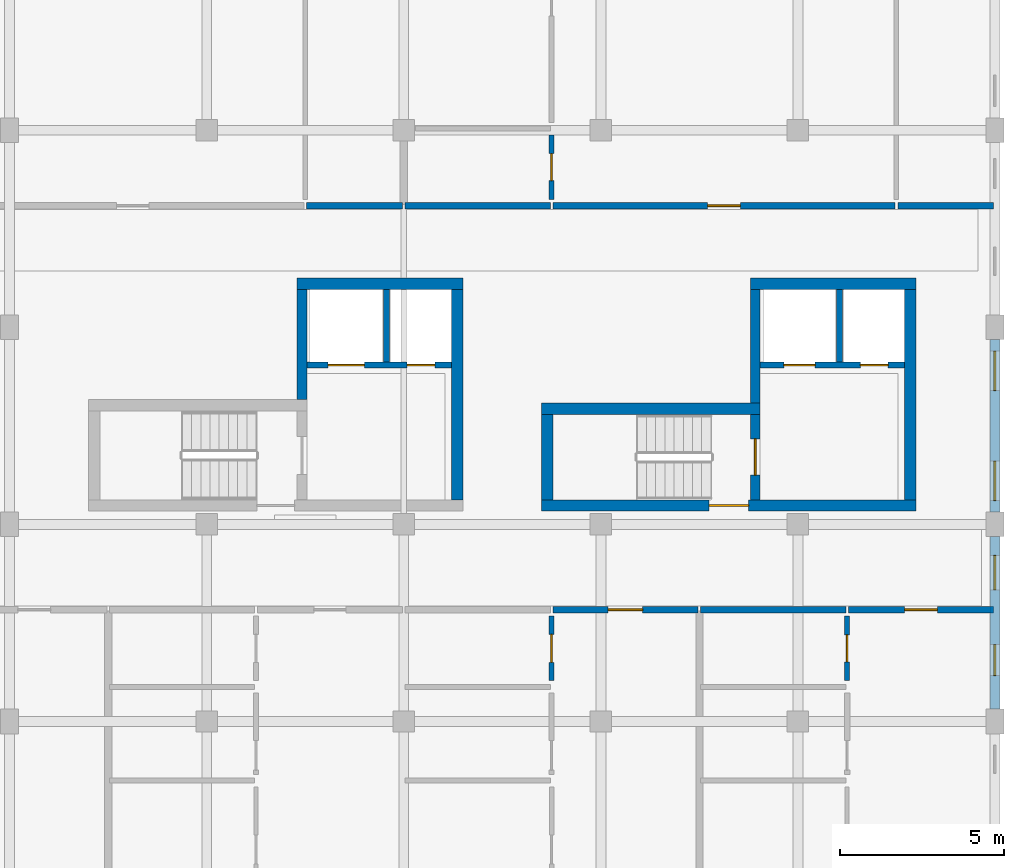
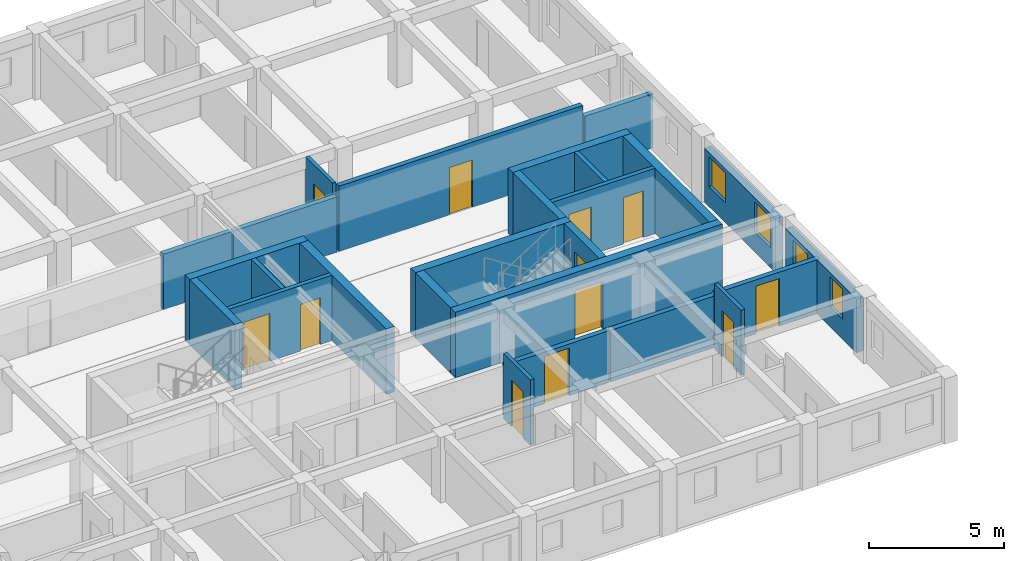
# One storey, part 99 of 123: 26 walls, 12 doors, 4 windows, 16 openings.
"""IFC4 building model written with IfcOpenShell, lengths in metres."""

from ifc_helpers import new_model, si_unit, direction, frame, frame_2d, origin, place, context, subcontext, project, spatial, rectangle, extrude, material, layer, layer_set, type_object, element, fill, save


model = new_model("IFC4")

# Units and contexts
model_context = context("Model", 3, precision=1e-05, world=origin(), true_north=direction((0.0, 1.0)))
body_context = subcontext(model_context, "Body", "Model", "MODEL_VIEW")
ifc_project = project(units=[si_unit("LENGTHUNIT", "METRE"), si_unit("AREAUNIT", "SQUARE_METRE"), si_unit("VOLUMEUNIT", "CUBIC_METRE"), si_unit("PLANEANGLEUNIT", "RADIAN"), si_unit("MASSUNIT", "GRAM", prefix="KILO"), si_unit("POWERUNIT", "WATT"), si_unit("THERMODYNAMICTEMPERATUREUNIT", "KELVIN")], contexts=[model_context])

# Site, building, storey
site_placement = place(None, origin())
site = spatial("IfcSite", under=ifc_project, at=site_placement, CompositionType="ELEMENT")
building_placement = place(site_placement, origin())
building = spatial("IfcBuilding", under=site, at=building_placement, Name="Ruvembo Vaulted Housing Court", CompositionType="ELEMENT")
storey_placement = place(building_placement, frame((0.0, 0.0, 7.699951171875)))
storey = spatial("IfcBuildingStorey", under=building, at=storey_placement, Name="L02", CompositionType="ELEMENT", Elevation=7.699951171875)

# Wall
ifc_material_1 = material(Name="Concrete C35/45", Category="concrete")
ifc_layer_1 = layer(ifc_material_1, 0.300048828125, Name="Concrete C35/45")
ifc_layer_set_1 = layer_set([ifc_layer_1], Name="Concrete C35/45")
wall_type_1 = type_object("IfcWallType", Name="WL-CORE-300", PredefinedType="SHEAR", material=ifc_layer_set_1)
wall_1_placement = place(storey_placement, frame((164.89990234375, 87.800048828125, 0.0), z_axis=(0.0, 0.0, 1.0), x_axis=(0.0, 1.0, 0.0)))
element("IfcWall", 1, at=wall_1_placement, inside=storey, type_object=wall_type_1, Name="Core D1 L02 Upper West Shear Wall", PredefinedType="SHEAR", context=body_context, shape_type="SweptSolid", body=[
    extrude(rectangle(XDim=3.349853515625, YDim=0.300048828125, at=frame_2d((1.6748046875, 0.0))), origin(), (0.0, 0.0, 1.0), 2.955078125),
])

# Wall, opening, door
wall_2_placement = place(storey_placement, frame((178.699951171875, 84.75, 0.0), z_axis=(0.0, 0.0, 1.0), x_axis=(0.0, 1.0, 0.0)))
wall_2 = element("IfcWall", 2, at=wall_2_placement, inside=storey, type_object=wall_type_1, Name="Core D2 L02 Stair-Lobby Shear Wall", PredefinedType="SHEAR", context=body_context, shape_type="SweptSolid", body=[
    extrude(rectangle(XDim=2.60009765625, YDim=0.300048828125, at=frame_2d((1.300048828125, 0.0))), origin(), (0.0, 0.0, 1.0), 2.955078125),
])
opening_1_placement = place(wall_2_placement, frame((0.75, 0.0, 0.0)))
opening_1 = element("IfcOpeningElement", 3, at=opening_1_placement, cuts=wall_2, Name="Opening SD2", PredefinedType="OPENING", context=body_context, shape_type="SweptSolid", body=[
    extrude(rectangle(XDim=1.10009765625, YDim=2.14990234375, at=frame_2d((0.550048828125, 1.074951171875))), frame((0.0, 0.159912109375, 0.0), z_axis=(0.0, -1.0, 0.0), x_axis=(1.0, 0.0, 0.0)), (0.0, 0.0, 1.0), 0.320068359375),
])
ifc_material_2 = material(Name="Galvanised Painted Steel", Category="steel")
door_type_1 = type_object("IfcDoorType", Name="DR-STAIR-1100x2150", OperationType="NOTDEFINED", PredefinedType="DOOR", material=ifc_material_2)
door_1_placement = place(opening_1_placement, origin())
door_1 = element("IfcDoor", 4, at=door_1_placement, inside=storey, type_object=door_type_1, Name="Stair ST-D2 L02 Fire Door", OperationType="SINGLE_SWING_LEFT", OverallHeight=2.14990234375, OverallWidth=1.10009765625, PredefinedType="DOOR", context=body_context, shape_type="SweptSolid", body=[
    extrude(rectangle(XDim=1.10009765625, YDim=2.14990234375, at=frame_2d((0.550048828125, 1.074951171875))), frame((0.0, 0.02490234375, 0.0), z_axis=(0.0, -1.0, 0.0), x_axis=(1.0, 0.0, 0.0)), (0.0, 0.0, 1.0), 0.050048828125),
])
fill(opening_1, door_1)

# Walls
wall_3_placement = place(storey_placement, frame((178.699951171875, 87.699951171875, 0.0), z_axis=(0.0, 0.0, 1.0), x_axis=(0.0, 1.0, 0.0)))
element("IfcWall", 5, at=wall_3_placement, inside=storey, type_object=wall_type_1, Name="Core D2 L02 Upper West Shear Wall", PredefinedType="SHEAR", context=body_context, shape_type="SweptSolid", body=[
    extrude(rectangle(XDim=3.449951171875, YDim=0.300048828125, at=frame_2d((1.72509765625, 0.0))), origin(), (0.0, 0.0, 1.0), 2.955078125),
])
ifc_layer_2 = layer(ifc_material_1, 0.35009765625, Name="Concrete C35/45")
ifc_layer_set_2 = layer_set([ifc_layer_2], Name="Concrete C35/45")
wall_type_2 = type_object("IfcWallType", Name="WL-CORE-350", PredefinedType="SHEAR", material=ifc_layer_set_2)
wall_4_placement = place(storey_placement, frame((169.800048828125, 91.324951171875, 0.0), z_axis=(0.0, 0.0, 1.0), x_axis=(-1.0, 0.0, 0.0)))
element("IfcWall", 6, at=wall_4_placement, inside=storey, type_object=wall_type_2, Name="Core D1 L02 North Shear Wall", PredefinedType="SHEAR", context=body_context, shape_type="SweptSolid", body=[
    extrude(rectangle(XDim=5.050048828125, YDim=0.35009765625, at=frame_2d((2.52490234375, 0.0))), origin(), (0.0, 0.0, 1.0), 2.955078125),
])
wall_5_placement = place(storey_placement, frame((169.625, 84.75, 0.0), z_axis=(0.0, 0.0, 1.0), x_axis=(0.0, 1.0, 0.0)))
element("IfcWall", 7, at=wall_5_placement, inside=storey, type_object=wall_type_2, Name="Core D1 L02 East Shear Wall", PredefinedType="SHEAR", context=body_context, shape_type="SweptSolid", body=[
    extrude(rectangle(XDim=6.39990234375, YDim=0.35009765625, at=frame_2d((3.199951171875, 0.0))), origin(), (0.0, 0.0, 1.0), 2.955078125),
])

# Wall, opening, door
wall_6_placement = place(storey_placement, frame((172.199951171875, 84.574951171875, 0.0), z_axis=(0.0, 0.0, 1.0), x_axis=(1.0, 0.0, 0.0)))
wall_6 = element("IfcWall", 8, at=wall_6_placement, inside=storey, type_object=wall_type_2, Name="Core D2 L02 South Shear Wall", PredefinedType="SHEAR", context=body_context, shape_type="SweptSolid", body=[
    extrude(rectangle(XDim=11.400146484375, YDim=0.35009765625, at=frame_2d((5.7001953125, 0.0))), origin(), (0.0, 0.0, 1.0), 2.955078125),
])
opening_2_placement = place(wall_6_placement, frame((5.10009765625, 0.0, 0.0)))
opening_2 = element("IfcOpeningElement", 9, at=opening_2_placement, cuts=wall_6, Name="Opening LD3", PredefinedType="OPENING", context=body_context, shape_type="SweptSolid", body=[
    extrude(rectangle(XDim=1.199951171875, YDim=2.14990234375, at=frame_2d((0.60009765625, 1.074951171875))), frame((0.0, 0.18505859375, 0.0), z_axis=(0.0, -1.0, 0.0), x_axis=(1.0, 0.0, 0.0)), (0.0, 0.0, 1.0), 0.3701171875),
])
door_type_2 = type_object("IfcDoorType", Name="DR-LOB-1200x2150", OperationType="NOTDEFINED", PredefinedType="DOOR", material=ifc_material_2)
door_2_placement = place(opening_2_placement, origin())
door_2 = element("IfcDoor", 10, at=door_2_placement, inside=storey, type_object=door_type_2, Name="Core D2 L02 Lobby Fire Door", OperationType="SINGLE_SWING_RIGHT", OverallHeight=2.14990234375, OverallWidth=1.199951171875, PredefinedType="DOOR", context=body_context, shape_type="SweptSolid", body=[
    extrude(rectangle(XDim=1.199951171875, YDim=2.14990234375, at=frame_2d((0.60009765625, 1.074951171875))), frame((0.0, 0.02490234375, 0.0), z_axis=(0.0, -1.0, 0.0), x_axis=(1.0, 0.0, 0.0)), (0.0, 0.0, 1.0), 0.050048828125),
])
fill(opening_2, door_2)

# Walls
wall_7_placement = place(storey_placement, frame((178.85009765625, 87.52490234375, 0.0), z_axis=(0.0, 0.0, 1.0), x_axis=(-1.0, 0.0, 0.0)))
element("IfcWall", 11, at=wall_7_placement, inside=storey, type_object=wall_type_2, Name="Core D2 L02 Stair North Shear Wall", PredefinedType="SHEAR", context=body_context, shape_type="SweptSolid", body=[
    extrude(rectangle(XDim=6.650146484375, YDim=0.35009765625, at=frame_2d((3.3251953125, 0.0))), origin(), (0.0, 0.0, 1.0), 2.955078125),
])
wall_8_placement = place(storey_placement, frame((172.375, 87.35009765625, 0.0), z_axis=(0.0, 0.0, 1.0), x_axis=(0.0, -1.0, 0.0)))
element("IfcWall", 12, at=wall_8_placement, inside=storey, type_object=wall_type_2, Name="Core D2 L02 Stair West Shear Wall", PredefinedType="SHEAR", context=body_context, shape_type="SweptSolid", body=[
    extrude(rectangle(XDim=2.60009765625, YDim=0.35009765625, at=frame_2d((1.300048828125, 0.0))), origin(), (0.0, 0.0, 1.0), 2.955078125),
])
wall_9_placement = place(storey_placement, frame((183.60009765625, 91.324951171875, 0.0), z_axis=(0.0, 0.0, 1.0), x_axis=(-1.0, 0.0, 0.0)))
element("IfcWall", 13, at=wall_9_placement, inside=storey, type_object=wall_type_2, Name="Core D2 L02 North Shear Wall", PredefinedType="SHEAR", context=body_context, shape_type="SweptSolid", body=[
    extrude(rectangle(XDim=5.050048828125, YDim=0.35009765625, at=frame_2d((2.52490234375, 0.0))), origin(), (0.0, 0.0, 1.0), 2.955078125),
])
wall_10_placement = place(storey_placement, frame((183.425048828125, 84.75, 0.0), z_axis=(0.0, 0.0, 1.0), x_axis=(0.0, 1.0, 0.0)))
element("IfcWall", 14, at=wall_10_placement, inside=storey, type_object=wall_type_2, Name="Core D2 L02 East Shear Wall", PredefinedType="SHEAR", context=body_context, shape_type="SweptSolid", body=[
    extrude(rectangle(XDim=6.39990234375, YDim=0.35009765625, at=frame_2d((3.199951171875, 0.0))), origin(), (0.0, 0.0, 1.0), 2.955078125),
])

# Wall, opening, door
ifc_material_3 = material(Name="Concrete Blockwork 210", Category="masonry")
ifc_layer_3 = layer(ifc_material_3, 0.2099609375, Name="Concrete Blockwork 210")
ifc_layer_set_3 = layer_set([ifc_layer_3], Name="Concrete Blockwork 210")
wall_type_3 = type_object("IfcWallType", Name="WL-CORR-210", PredefinedType="SOLIDWALL", material=ifc_layer_set_3)
wall_11_placement = place(storey_placement, frame((172.5400390625, 81.39990234375, 0.0), z_axis=(0.0, 0.0, 1.0), x_axis=(1.0, 0.0, 0.0)))
wall_11 = element("IfcWall", 15, at=wall_11_placement, inside=storey, type_object=wall_type_3, Name="L02 Flat D-L02-S3 Entrance WL-INT-L02-00650", PredefinedType="SOLIDWALL", context=body_context, shape_type="SweptSolid", body=[
    extrude(rectangle(XDim=4.419921875, YDim=0.2099609375, at=frame_2d((2.2099609375, 0.0))), origin(), (0.0, 0.0, 1.0), 2.337158203125),
])
opening_3_placement = place(wall_11_placement, frame((1.68505859375, 0.0, 0.0)))
opening_3 = element("IfcOpeningElement", 16, at=opening_3_placement, cuts=wall_11, Name="Opening FD3", PredefinedType="OPENING", context=body_context, shape_type="SweptSolid", body=[
    extrude(rectangle(XDim=1.050048828125, YDim=2.14990234375, at=frame_2d((0.52490234375, 1.074951171875))), frame((0.0, 0.114990234375, 0.0), z_axis=(0.0, -1.0, 0.0), x_axis=(1.0, 0.0, 0.0)), (0.0, 0.0, 1.0), 0.22998046875),
])
ifc_material_4 = material(Name="FSC Hardwood and Engineered Timber", Category="wood")
door_type_3 = type_object("IfcDoorType", Name="DR-FLAT-1050x2150", OperationType="NOTDEFINED", PredefinedType="DOOR", material=ifc_material_4)
door_3_placement = place(opening_3_placement, origin())
door_3 = element("IfcDoor", 17, at=door_3_placement, inside=storey, type_object=door_type_3, Name="L02 Flat D-L02-S3 Entrance Door DR-INT-L02-00350", OperationType="SINGLE_SWING_RIGHT", OverallHeight=2.14990234375, OverallWidth=1.050048828125, PredefinedType="DOOR", context=body_context, shape_type="SweptSolid", body=[
    extrude(rectangle(XDim=1.050048828125, YDim=2.14990234375, at=frame_2d((0.52490234375, 1.074951171875))), frame((0.0, 0.02490234375, 0.0), z_axis=(0.0, -1.0, 0.0), x_axis=(1.0, 0.0, 0.0)), (0.0, 0.0, 1.0), 0.050048828125),
])
fill(opening_3, door_3)

# Wall
wall_12_placement = place(storey_placement, frame((177.0400390625, 81.39990234375, 0.0), z_axis=(0.0, 0.0, 1.0), x_axis=(1.0, 0.0, 0.0)))
element("IfcWall", 18, at=wall_12_placement, inside=storey, type_object=wall_type_3, Name="L02 Flat D-L02-S4 Corridor Wall WL-INT-L02-00656", PredefinedType="SOLIDWALL", context=body_context, shape_type="SweptSolid", body=[
    extrude(rectangle(XDim=4.419921875, YDim=0.2099609375, at=frame_2d((2.2099609375, 0.0))), origin(), (0.0, 0.0, 1.0), 2.337158203125),
])

# Wall, opening, door
wall_13_placement = place(storey_placement, frame((181.5400390625, 81.39990234375, 0.0), z_axis=(0.0, 0.0, 1.0), x_axis=(1.0, 0.0, 0.0)))
wall_13 = element("IfcWall", 19, at=wall_13_placement, inside=storey, type_object=wall_type_3, Name="L02 Flat D-L02-S4 Entrance WL-INT-L02-00657", PredefinedType="SOLIDWALL", context=body_context, shape_type="SweptSolid", body=[
    extrude(rectangle(XDim=4.419921875, YDim=0.2099609375, at=frame_2d((2.2099609375, 0.0))), origin(), (0.0, 0.0, 1.0), 2.43701171875),
])
opening_4_placement = place(wall_13_placement, frame((1.7099609375, 0.0, 0.0)))
opening_4 = element("IfcOpeningElement", 20, at=opening_4_placement, cuts=wall_13, Name="Opening FD1", PredefinedType="OPENING", context=body_context, shape_type="SweptSolid", body=[
    extrude(rectangle(XDim=1.0, YDim=2.14990234375, at=frame_2d((0.5, 1.074951171875))), frame((0.0, 0.114990234375, 0.0), z_axis=(0.0, -1.0, 0.0), x_axis=(1.0, 0.0, 0.0)), (0.0, 0.0, 1.0), 0.22998046875),
])
door_type_4 = type_object("IfcDoorType", Name="DR-FLAT-1000x2150", OperationType="NOTDEFINED", PredefinedType="DOOR", material=ifc_material_4)
door_4_placement = place(opening_4_placement, origin())
door_4 = element("IfcDoor", 21, at=door_4_placement, inside=storey, type_object=door_type_4, Name="L02 Flat D-L02-S4 Entrance Door DR-INT-L02-00354", OperationType="SINGLE_SWING_RIGHT", OverallHeight=2.14990234375, OverallWidth=1.0, PredefinedType="DOOR", context=body_context, shape_type="SweptSolid", body=[
    extrude(rectangle(XDim=1.0, YDim=2.14990234375, at=frame_2d((0.5, 1.074951171875))), frame((0.0, 0.02490234375, 0.0), z_axis=(0.0, -1.0, 0.0), x_axis=(1.0, 0.0, 0.0)), (0.0, 0.0, 1.0), 0.050048828125),
])
fill(opening_4, door_4)

# Walls
wall_14_placement = place(storey_placement, frame((165.0400390625, 93.699951171875, 0.0), z_axis=(0.0, 0.0, 1.0), x_axis=(1.0, 0.0, 0.0)))
element("IfcWall", 22, at=wall_14_placement, inside=storey, type_object=wall_type_3, Name="L02 Flat D-L02-N1 Corridor Wall 2 WL-INT-L02-00671", PredefinedType="SOLIDWALL", context=body_context, shape_type="SweptSolid", body=[
    extrude(rectangle(XDim=2.919921875, YDim=0.2099609375, at=frame_2d((1.4599609375, 0.0))), origin(), (0.0, 0.0, 1.0), 2.508056640625),
])
wall_15_placement = place(storey_placement, frame((168.0400390625, 93.699951171875, 0.0), z_axis=(0.0, 0.0, 1.0), x_axis=(1.0, 0.0, 0.0)))
element("IfcWall", 23, at=wall_15_placement, inside=storey, type_object=wall_type_3, Name="L02 Flat D-L02-N2 Corridor Wall WL-INT-L02-00673", PredefinedType="SOLIDWALL", context=body_context, shape_type="SweptSolid", body=[
    extrude(rectangle(XDim=4.419921875, YDim=0.2099609375, at=frame_2d((2.2099609375, 0.0))), origin(), (0.0, 0.0, 1.0), 2.508056640625),
])

# Wall, opening, door
wall_16_placement = place(storey_placement, frame((172.5400390625, 93.699951171875, 0.0), z_axis=(0.0, 0.0, 1.0), x_axis=(1.0, 0.0, 0.0)))
wall_16 = element("IfcWall", 24, at=wall_16_placement, inside=storey, type_object=wall_type_3, Name="L02 Flat D-L02-N2 Entrance WL-INT-L02-00674", PredefinedType="SOLIDWALL", context=body_context, shape_type="SweptSolid", body=[
    extrude(rectangle(XDim=10.419921875, YDim=0.2099609375, at=frame_2d((5.2099609375, 0.0))), origin(), (0.0, 0.0, 1.0), 2.955078125),
])
opening_5_placement = place(wall_16_placement, frame((4.7099609375, 0.0, 0.0)))
opening_5 = element("IfcOpeningElement", 25, at=opening_5_placement, cuts=wall_16, Name="Opening FD1", PredefinedType="OPENING", context=body_context, shape_type="SweptSolid", body=[
    extrude(rectangle(XDim=1.0, YDim=2.14990234375, at=frame_2d((0.5, 1.074951171875))), frame((0.0, 0.114990234375, 0.0), z_axis=(0.0, -1.0, 0.0), x_axis=(1.0, 0.0, 0.0)), (0.0, 0.0, 1.0), 0.22998046875),
])
door_5_placement = place(opening_5_placement, origin())
door_5 = element("IfcDoor", 26, at=door_5_placement, inside=storey, type_object=door_type_4, Name="L02 Flat D-L02-N2 Entrance Door DR-INT-L02-00363", OperationType="SINGLE_SWING_LEFT", OverallHeight=2.14990234375, OverallWidth=1.0, PredefinedType="DOOR", context=body_context, shape_type="SweptSolid", body=[
    extrude(rectangle(XDim=1.0, YDim=2.14990234375, at=frame_2d((0.5, 1.074951171875))), frame((0.0, 0.02490234375, 0.0), z_axis=(0.0, -1.0, 0.0), x_axis=(1.0, 0.0, 0.0)), (0.0, 0.0, 1.0), 0.050048828125),
])
fill(opening_5, door_5)

# Wall
wall_17_placement = place(storey_placement, frame((183.0400390625, 93.699951171875, 0.0), z_axis=(0.0, 0.0, 1.0), x_axis=(1.0, 0.0, 0.0)))
element("IfcWall", 27, at=wall_17_placement, inside=storey, type_object=wall_type_3, Name="L02 Flat D-L02-N2 Corridor Wall 2 WL-INT-L02-00680", PredefinedType="SOLIDWALL", context=body_context, shape_type="SweptSolid", body=[
    extrude(rectangle(XDim=2.919921875, YDim=0.2099609375, at=frame_2d((1.4599609375, 0.0))), origin(), (0.0, 0.0, 1.0), 2.43701171875),
])

# Wall, openings, windows
ifc_material_5 = material(Name="Rendered Masonry 300", Category="masonry")
ifc_layer_4 = layer(ifc_material_5, 0.300048828125, Name="Rendered Masonry 300")
ifc_layer_set_4 = layer_set([ifc_layer_4], Name="Rendered Masonry 300")
wall_type_4 = type_object("IfcWallType", Name="WL-EXT-300", PredefinedType="STANDARD", material=ifc_layer_set_4)
wall_18_placement = place(storey_placement, frame((186.0, 78.375, 0.0), z_axis=(0.0, 0.0, 1.0), x_axis=(0.0, 1.0, 0.0)))
wall_18 = element("IfcWall", 28, at=wall_18_placement, inside=storey, type_object=wall_type_4, Name="Block D L02 Exterior Wall EAST #2", PredefinedType="STANDARD", context=body_context, shape_type="SweptSolid", body=[
    extrude(rectangle(XDim=5.25, YDim=0.300048828125, at=frame_2d((2.625, 0.0))), origin(), (0.0, 0.0, 1.0), 2.43701171875),
])
opening_6_placement = place(wall_18_placement, frame((1.017578125, 0.0, 0.89990234375)))
opening_6 = element("IfcOpeningElement", 29, at=opening_6_placement, cuts=wall_18, Name="Opening W07", PredefinedType="OPENING", context=body_context, shape_type="SweptSolid", body=[
    extrude(rectangle(XDim=0.949951171875, YDim=1.35009765625, at=frame_2d((0.47509765625, 0.675048828125))), frame((0.0, 0.159912109375, 0.0), z_axis=(0.0, -1.0, 0.0), x_axis=(1.0, 0.0, 0.0)), (0.0, 0.0, 1.0), 0.320068359375),
])
opening_7_placement = place(wall_18_placement, frame((3.632568359375, 0.0, 0.89990234375)))
opening_7 = element("IfcOpeningElement", 30, at=opening_7_placement, cuts=wall_18, Name="Opening W09", PredefinedType="OPENING", context=body_context, shape_type="SweptSolid", body=[
    extrude(rectangle(XDim=1.050048828125, YDim=1.35009765625, at=frame_2d((0.52490234375, 0.675048828125))), frame((0.0, 0.159912109375, 0.0), z_axis=(0.0, -1.0, 0.0), x_axis=(1.0, 0.0, 0.0)), (0.0, 0.0, 1.0), 0.320068359375),
])
ifc_material_6 = material(Name="Double Solar-Control Glazing in Aluminium Frame", Category="aluminium")
window_type_1 = type_object("IfcWindowType", Name="WIN-0950x1350", PartitioningType="SINGLE_PANEL", PredefinedType="WINDOW", material=ifc_material_6)
window_1_placement = place(opening_6_placement, origin())
window_1 = element("IfcWindow", 31, at=window_1_placement, inside=storey, type_object=window_type_1, Name="Block D L02 Window #1545", OverallHeight=1.35009765625, OverallWidth=0.949951171875, PartitioningType="SINGLE_PANEL", PredefinedType="WINDOW", context=body_context, shape_type="SweptSolid", body=[
    extrude(rectangle(XDim=0.949951171875, YDim=1.35009765625, at=frame_2d((0.47509765625, 0.675048828125))), frame((0.0, 0.030029296875, 0.0), z_axis=(0.0, -1.0, 0.0), x_axis=(1.0, 0.0, 0.0)), (0.0, 0.0, 1.0), 0.06005859375),
])
fill(opening_6, window_1)
window_type_2 = type_object("IfcWindowType", Name="WIN-1050x1350", PartitioningType="SINGLE_PANEL", PredefinedType="WINDOW", material=ifc_material_6)
window_2_placement = place(opening_7_placement, origin())
window_2 = element("IfcWindow", 32, at=window_2_placement, inside=storey, type_object=window_type_2, Name="Block D L02 Window #1546", OverallHeight=1.35009765625, OverallWidth=1.050048828125, PartitioningType="SINGLE_PANEL", PredefinedType="WINDOW", context=body_context, shape_type="SweptSolid", body=[
    extrude(rectangle(XDim=1.050048828125, YDim=1.35009765625, at=frame_2d((0.52490234375, 0.675048828125))), frame((0.0, 0.030029296875, 0.0), z_axis=(0.0, -1.0, 0.0), x_axis=(1.0, 0.0, 0.0)), (0.0, 0.0, 1.0), 0.06005859375),
])
fill(opening_7, window_2)

wall_19_placement = place(storey_placement, frame((186.0, 84.375, 0.0), z_axis=(0.0, 0.0, 1.0), x_axis=(0.0, 1.0, 0.0)))
wall_19 = element("IfcWall", 33, at=wall_19_placement, inside=storey, type_object=wall_type_4, Name="Block D L02 Exterior Wall EAST #3", PredefinedType="STANDARD", context=body_context, shape_type="SweptSolid", body=[
    extrude(rectangle(XDim=5.25, YDim=0.300048828125, at=frame_2d((2.625, 0.0))), origin(), (0.0, 0.0, 1.0), 2.43701171875),
])
opening_8_placement = place(wall_19_placement, frame((0.35009765625, 0.0, 0.89990234375)))
opening_8 = element("IfcOpeningElement", 34, at=opening_8_placement, cuts=wall_19, Name="Opening W12", PredefinedType="OPENING", context=body_context, shape_type="SweptSolid", body=[
    extrude(rectangle(XDim=1.199951171875, YDim=1.35009765625, at=frame_2d((0.60009765625, 0.675048828125))), frame((0.0, 0.159912109375, 0.0), z_axis=(0.0, -1.0, 0.0), x_axis=(1.0, 0.0, 0.0)), (0.0, 0.0, 1.0), 0.320068359375),
])
opening_9_placement = place(wall_19_placement, frame((3.699951171875, 0.0, 0.89990234375)))
opening_9 = element("IfcOpeningElement", 35, at=opening_9_placement, cuts=wall_19, Name="Opening W12", PredefinedType="OPENING", context=body_context, shape_type="SweptSolid", body=[
    extrude(rectangle(XDim=1.199951171875, YDim=1.35009765625, at=frame_2d((0.60009765625, 0.675048828125))), frame((0.0, 0.159912109375, 0.0), z_axis=(0.0, -1.0, 0.0), x_axis=(1.0, 0.0, 0.0)), (0.0, 0.0, 1.0), 0.320068359375),
])
window_type_3 = type_object("IfcWindowType", Name="WIN-1200x1350", PartitioningType="SINGLE_PANEL", PredefinedType="WINDOW", material=ifc_material_6)
window_3_placement = place(opening_8_placement, origin())
window_3 = element("IfcWindow", 36, at=window_3_placement, inside=storey, type_object=window_type_3, Name="Block D L02 Window #1547", OverallHeight=1.35009765625, OverallWidth=1.199951171875, PartitioningType="SINGLE_PANEL", PredefinedType="WINDOW", context=body_context, shape_type="SweptSolid", body=[
    extrude(rectangle(XDim=1.199951171875, YDim=1.35009765625, at=frame_2d((0.60009765625, 0.675048828125))), frame((0.0, 0.030029296875, 0.0), z_axis=(0.0, -1.0, 0.0), x_axis=(1.0, 0.0, 0.0)), (0.0, 0.0, 1.0), 0.06005859375),
])
fill(opening_8, window_3)
window_4_placement = place(opening_9_placement, origin())
window_4 = element("IfcWindow", 37, at=window_4_placement, inside=storey, type_object=window_type_3, Name="Block D L02 Window #1548", OverallHeight=1.35009765625, OverallWidth=1.199951171875, PartitioningType="SINGLE_PANEL", PredefinedType="WINDOW", context=body_context, shape_type="SweptSolid", body=[
    extrude(rectangle(XDim=1.199951171875, YDim=1.35009765625, at=frame_2d((0.60009765625, 0.675048828125))), frame((0.0, 0.030029296875, 0.0), z_axis=(0.0, -1.0, 0.0), x_axis=(1.0, 0.0, 0.0)), (0.0, 0.0, 1.0), 0.06005859375),
])
fill(opening_9, window_4)

# Wall, opening, door
ifc_material_7 = material(Name="Moisture-Resistant Wet Partition 150", Category="gypsum")
ifc_layer_5 = layer(ifc_material_7, 0.14990234375, Name="Moisture-Resistant Wet Partition 150")
ifc_layer_set_5 = layer_set([ifc_layer_5], Name="Moisture-Resistant Wet Partition 150")
wall_type_5 = type_object("IfcWallType", Name="WL-PART-150", PredefinedType="PARTITIONING", material=ifc_layer_set_5)
wall_20_placement = place(storey_placement, frame((172.5, 79.239990234375, 0.0), z_axis=(0.0, 0.0, 1.0), x_axis=(0.0, 1.0, 0.0)))
wall_20 = element("IfcWall", 38, at=wall_20_placement, inside=storey, type_object=wall_type_5, Name="L02 Flat D-L02-S3 Bathroom WL-INT-L02-00653", PredefinedType="PARTITIONING", context=body_context, shape_type="SweptSolid", body=[
    extrude(rectangle(XDim=1.969970703125, YDim=0.14990234375, at=frame_2d((0.98486328125, 0.0))), origin(), (0.0, 0.0, 1.0), 2.955078125),
])
opening_10_placement = place(wall_20_placement, frame((0.56005859375, 0.0, 0.0)))
opening_10 = element("IfcOpeningElement", 39, at=opening_10_placement, cuts=wall_20, Name="Opening ID2", PredefinedType="OPENING", context=body_context, shape_type="SweptSolid", body=[
    extrude(rectangle(XDim=0.85009765625, YDim=2.10009765625, at=frame_2d((0.425048828125, 1.050048828125))), frame((0.0, 0.0849609375, 0.0), z_axis=(0.0, -1.0, 0.0), x_axis=(1.0, 0.0, 0.0)), (0.0, 0.0, 1.0), 0.169921875),
])
door_type_5 = type_object("IfcDoorType", Name="DR-WET-0850x2100", OperationType="NOTDEFINED", PredefinedType="DOOR", material=ifc_material_4)
door_6_placement = place(opening_10_placement, origin())
door_6 = element("IfcDoor", 40, at=door_6_placement, inside=storey, type_object=door_type_5, Name="L02 Flat D-L02-S3 Bathroom Door DR-INT-L02-00353", OperationType="SINGLE_SWING_LEFT", OverallHeight=2.10009765625, OverallWidth=0.85009765625, PredefinedType="DOOR", context=body_context, shape_type="SweptSolid", body=[
    extrude(rectangle(XDim=0.85009765625, YDim=2.10009765625, at=frame_2d((0.425048828125, 1.050048828125))), frame((0.0, 0.02490234375, 0.0), z_axis=(0.0, -1.0, 0.0), x_axis=(1.0, 0.0, 0.0)), (0.0, 0.0, 1.0), 0.050048828125),
])
fill(opening_10, door_6)

wall_21_placement = place(storey_placement, frame((181.5, 79.239990234375, 0.0), z_axis=(0.0, 0.0, 1.0), x_axis=(0.0, 1.0, 0.0)))
wall_21 = element("IfcWall", 41, at=wall_21_placement, inside=storey, type_object=wall_type_5, Name="L02 Flat D-L02-S4 Bathroom WL-INT-L02-00660", PredefinedType="PARTITIONING", context=body_context, shape_type="SweptSolid", body=[
    extrude(rectangle(XDim=1.969970703125, YDim=0.14990234375, at=frame_2d((0.98486328125, 0.0))), origin(), (0.0, 0.0, 1.0), 2.955078125),
])
opening_11_placement = place(wall_21_placement, frame((0.574951171875, 0.0, 0.0)))
opening_11 = element("IfcOpeningElement", 42, at=opening_11_placement, cuts=wall_21, Name="Opening ID4", PredefinedType="OPENING", context=body_context, shape_type="SweptSolid", body=[
    extrude(rectangle(XDim=0.820068359375, YDim=2.080078125, at=frame_2d((0.41015625, 1.0400390625))), frame((0.0, 0.0849609375, 0.0), z_axis=(0.0, -1.0, 0.0), x_axis=(1.0, 0.0, 0.0)), (0.0, 0.0, 1.0), 0.169921875),
])
door_type_6 = type_object("IfcDoorType", Name="DR-WET-0820x2080", OperationType="NOTDEFINED", PredefinedType="DOOR", material=ifc_material_4)
door_7_placement = place(opening_11_placement, origin())
door_7 = element("IfcDoor", 43, at=door_7_placement, inside=storey, type_object=door_type_6, Name="L02 Flat D-L02-S4 Bathroom Door DR-INT-L02-00357", OperationType="SINGLE_SWING_LEFT", OverallHeight=2.080078125, OverallWidth=0.820068359375, PredefinedType="DOOR", context=body_context, shape_type="SweptSolid", body=[
    extrude(rectangle(XDim=0.820068359375, YDim=2.080078125, at=frame_2d((0.41015625, 1.0400390625))), frame((0.0, 0.02490234375, 0.0), z_axis=(0.0, -1.0, 0.0), x_axis=(1.0, 0.0, 0.0)), (0.0, 0.0, 1.0), 0.050048828125),
])
fill(opening_11, door_7)

wall_22_placement = place(storey_placement, frame((172.5, 93.889892578125, 0.0), z_axis=(0.0, 0.0, 1.0), x_axis=(0.0, 1.0, 0.0)))
wall_22 = element("IfcWall", 44, at=wall_22_placement, inside=storey, type_object=wall_type_5, Name="L02 Flat D-L02-N2 Bathroom WL-INT-L02-00677", PredefinedType="PARTITIONING", context=body_context, shape_type="SweptSolid", body=[
    extrude(rectangle(XDim=1.97021484375, YDim=0.14990234375, at=frame_2d((0.985107421875, 0.0))), origin(), (0.0, 0.0, 1.0), 2.955078125),
])
opening_12_placement = place(wall_22_placement, frame((0.574951171875, 0.0, 0.0)))
opening_12 = element("IfcOpeningElement", 45, at=opening_12_placement, cuts=wall_22, Name="Opening ID4", PredefinedType="OPENING", context=body_context, shape_type="SweptSolid", body=[
    extrude(rectangle(XDim=0.820068359375, YDim=2.080078125, at=frame_2d((0.41015625, 1.0400390625))), frame((0.0, 0.0849609375, 0.0), z_axis=(0.0, -1.0, 0.0), x_axis=(1.0, 0.0, 0.0)), (0.0, 0.0, 1.0), 0.169921875),
])
door_8_placement = place(opening_12_placement, origin())
door_8 = element("IfcDoor", 46, at=door_8_placement, inside=storey, type_object=door_type_6, Name="L02 Flat D-L02-N2 Bathroom Door DR-INT-L02-00366", OperationType="SINGLE_SWING_RIGHT", OverallHeight=2.080078125, OverallWidth=0.820068359375, PredefinedType="DOOR", context=body_context, shape_type="SweptSolid", body=[
    extrude(rectangle(XDim=0.820068359375, YDim=2.080078125, at=frame_2d((0.41015625, 1.0400390625))), frame((0.0, 0.02490234375, 0.0), z_axis=(0.0, -1.0, 0.0), x_axis=(1.0, 0.0, 0.0)), (0.0, 0.0, 1.0), 0.050048828125),
])
fill(opening_12, door_8)

# Wall, openings, doors
ifc_material_8 = material(Name="Fire-Rated Masonry Shaft 180", Category="masonry")
ifc_layer_6 = layer(ifc_material_8, 0.179931640625, Name="Fire-Rated Masonry Shaft 180")
ifc_layer_set_6 = layer_set([ifc_layer_6], Name="Fire-Rated Masonry Shaft 180")
wall_type_6 = type_object("IfcWallType", Name="WL-SHAFT-180", PredefinedType="SOLIDWALL", material=ifc_layer_set_6)
wall_23_placement = place(storey_placement, frame((165.050048828125, 88.85009765625, 0.0), z_axis=(0.0, 0.0, 1.0), x_axis=(1.0, 0.0, 0.0)))
wall_23 = element("IfcWall", 47, at=wall_23_placement, inside=storey, type_object=wall_type_6, Name="Core D1 L02 Lift and Riser Front Wall", PredefinedType="SOLIDWALL", context=body_context, shape_type="SweptSolid", body=[
    extrude(rectangle(XDim=4.39990234375, YDim=0.179931640625, at=frame_2d((2.199951171875, 0.0))), origin(), (0.0, 0.0, 1.0), 2.955078125),
])
opening_13_placement = place(wall_23_placement, frame((0.64990234375, 0.0, 0.0)))
opening_13 = element("IfcOpeningElement", 48, at=opening_13_placement, cuts=wall_23, Name="Opening LD-LP-D1-L02", PredefinedType="OPENING", context=body_context, shape_type="SweptSolid", body=[
    extrude(rectangle(XDim=1.10009765625, YDim=2.14990234375, at=frame_2d((0.550048828125, 1.074951171875))), frame((0.0, 0.099853515625, 0.0), z_axis=(0.0, -1.0, 0.0), x_axis=(1.0, 0.0, 0.0)), (0.0, 0.0, 1.0), 0.199951171875),
])
opening_14_placement = place(wall_23_placement, frame((3.050048828125, 0.0, 0.0)))
opening_14 = element("IfcOpeningElement", 49, at=opening_14_placement, cuts=wall_23, Name="Opening RD1", PredefinedType="OPENING", context=body_context, shape_type="SweptSolid", body=[
    extrude(rectangle(XDim=0.85009765625, YDim=2.10009765625, at=frame_2d((0.425048828125, 1.050048828125))), frame((0.0, 0.099853515625, 0.0), z_axis=(0.0, -1.0, 0.0), x_axis=(1.0, 0.0, 0.0)), (0.0, 0.0, 1.0), 0.199951171875),
])
ifc_material_9 = material(Name="Brushed Stainless Steel 304", Category="steel")
door_type_7 = type_object("IfcDoorType", Name="DR-LIFT-1100x2150", OperationType="NOTDEFINED", PredefinedType="DOOR", material=ifc_material_9)
door_9_placement = place(opening_13_placement, origin())
door_9 = element("IfcDoor", 50, at=door_9_placement, inside=storey, type_object=door_type_7, Name="Lift LP-D1 L02 Sliding Landing Door", OperationType="SLIDING_TO_LEFT", OverallHeight=2.14990234375, OverallWidth=1.10009765625, PredefinedType="DOOR", context=body_context, shape_type="SweptSolid", body=[
    extrude(rectangle(XDim=1.10009765625, YDim=2.14990234375, at=frame_2d((0.550048828125, 1.074951171875))), frame((0.0, 0.02490234375, 0.0), z_axis=(0.0, -1.0, 0.0), x_axis=(1.0, 0.0, 0.0)), (0.0, 0.0, 1.0), 0.050048828125),
])
fill(opening_13, door_9)
door_type_8 = type_object("IfcDoorType", Name="DR-RISER-0850x2100", OperationType="NOTDEFINED", PredefinedType="DOOR", material=ifc_material_2)
door_10_placement = place(opening_14_placement, frame((0.85009765625, 0.0, 0.0), z_axis=(0.0, 0.0, 1.0), x_axis=(-1.0, 0.0, 0.0)))
door_10 = element("IfcDoor", 51, at=door_10_placement, inside=storey, type_object=door_type_8, Name="Core D1 L02 Service Riser Door", OperationType="SINGLE_SWING_RIGHT", OverallHeight=2.10009765625, OverallWidth=0.85009765625, PredefinedType="DOOR", context=body_context, shape_type="SweptSolid", body=[
    extrude(rectangle(XDim=0.85009765625, YDim=2.10009765625, at=frame_2d((0.425048828125, 1.050048828125))), frame((0.0, 0.02490234375, 0.0), z_axis=(0.0, -1.0, 0.0), x_axis=(1.0, 0.0, 0.0)), (0.0, 0.0, 1.0), 0.050048828125),
])
fill(opening_14, door_10)

# Wall
wall_24_placement = place(storey_placement, frame((167.469970703125, 88.93994140625, 0.0), z_axis=(0.0, 0.0, 1.0), x_axis=(0.0, 1.0, 0.0)))
element("IfcWall", 52, at=wall_24_placement, inside=storey, type_object=wall_type_6, Name="Core D1 L02 Shaft-Riser Divider Wall", PredefinedType="SOLIDWALL", context=body_context, shape_type="SweptSolid", body=[
    extrude(rectangle(XDim=2.2099609375, YDim=0.179931640625, at=frame_2d((1.10498046875, 0.0))), origin(), (0.0, 0.0, 1.0), 2.955078125),
])

# Wall, openings, doors
wall_25_placement = place(storey_placement, frame((178.85009765625, 88.85009765625, 0.0), z_axis=(0.0, 0.0, 1.0), x_axis=(1.0, 0.0, 0.0)))
wall_25 = element("IfcWall", 53, at=wall_25_placement, inside=storey, type_object=wall_type_6, Name="Core D2 L02 Lift and Riser Front Wall", PredefinedType="SOLIDWALL", context=body_context, shape_type="SweptSolid", body=[
    extrude(rectangle(XDim=4.39990234375, YDim=0.179931640625, at=frame_2d((2.199951171875, 0.0))), origin(), (0.0, 0.0, 1.0), 2.955078125),
])
opening_15_placement = place(wall_25_placement, frame((0.72509765625, 0.0, 0.0)))
opening_15 = element("IfcOpeningElement", 54, at=opening_15_placement, cuts=wall_25, Name="Opening LD-LP-D2-L02", PredefinedType="OPENING", context=body_context, shape_type="SweptSolid", body=[
    extrude(rectangle(XDim=0.949951171875, YDim=2.14990234375, at=frame_2d((0.47509765625, 1.074951171875))), frame((0.0, 0.099853515625, 0.0), z_axis=(0.0, -1.0, 0.0), x_axis=(1.0, 0.0, 0.0)), (0.0, 0.0, 1.0), 0.199951171875),
])
opening_16_placement = place(wall_25_placement, frame((3.050048828125, 0.0, 0.0)))
opening_16 = element("IfcOpeningElement", 55, at=opening_16_placement, cuts=wall_25, Name="Opening RD1", PredefinedType="OPENING", context=body_context, shape_type="SweptSolid", body=[
    extrude(rectangle(XDim=0.85009765625, YDim=2.10009765625, at=frame_2d((0.425048828125, 1.050048828125))), frame((0.0, 0.099853515625, 0.0), z_axis=(0.0, -1.0, 0.0), x_axis=(1.0, 0.0, 0.0)), (0.0, 0.0, 1.0), 0.199951171875),
])
door_type_9 = type_object("IfcDoorType", Name="DR-LIFT-0950x2150", OperationType="NOTDEFINED", PredefinedType="DOOR", material=ifc_material_9)
door_11_placement = place(opening_15_placement, origin())
door_11 = element("IfcDoor", 56, at=door_11_placement, inside=storey, type_object=door_type_9, Name="Lift LP-D2 L02 Sliding Landing Door", OperationType="SLIDING_TO_LEFT", OverallHeight=2.14990234375, OverallWidth=0.949951171875, PredefinedType="DOOR", context=body_context, shape_type="SweptSolid", body=[
    extrude(rectangle(XDim=0.949951171875, YDim=2.14990234375, at=frame_2d((0.47509765625, 1.074951171875))), frame((0.0, 0.02490234375, 0.0), z_axis=(0.0, -1.0, 0.0), x_axis=(1.0, 0.0, 0.0)), (0.0, 0.0, 1.0), 0.050048828125),
])
fill(opening_15, door_11)
door_12_placement = place(opening_16_placement, frame((0.85009765625, 0.0, 0.0), z_axis=(0.0, 0.0, 1.0), x_axis=(-1.0, 0.0, 0.0)))
door_12 = element("IfcDoor", 57, at=door_12_placement, inside=storey, type_object=door_type_8, Name="Core D2 L02 Service Riser Door", OperationType="SINGLE_SWING_RIGHT", OverallHeight=2.10009765625, OverallWidth=0.85009765625, PredefinedType="DOOR", context=body_context, shape_type="SweptSolid", body=[
    extrude(rectangle(XDim=0.85009765625, YDim=2.10009765625, at=frame_2d((0.425048828125, 1.050048828125))), frame((0.0, 0.02490234375, 0.0), z_axis=(0.0, -1.0, 0.0), x_axis=(1.0, 0.0, 0.0)), (0.0, 0.0, 1.0), 0.050048828125),
])
fill(opening_16, door_12)

# Wall
wall_26_placement = place(storey_placement, frame((181.27001953125, 88.93994140625, 0.0), z_axis=(0.0, 0.0, 1.0), x_axis=(0.0, 1.0, 0.0)))
element("IfcWall", 58, at=wall_26_placement, inside=storey, type_object=wall_type_6, Name="Core D2 L02 Shaft-Riser Divider Wall", PredefinedType="SOLIDWALL", context=body_context, shape_type="SweptSolid", body=[
    extrude(rectangle(XDim=2.2099609375, YDim=0.179931640625, at=frame_2d((1.10498046875, 0.0))), origin(), (0.0, 0.0, 1.0), 2.955078125),
])

save(model, "model.ifc")
